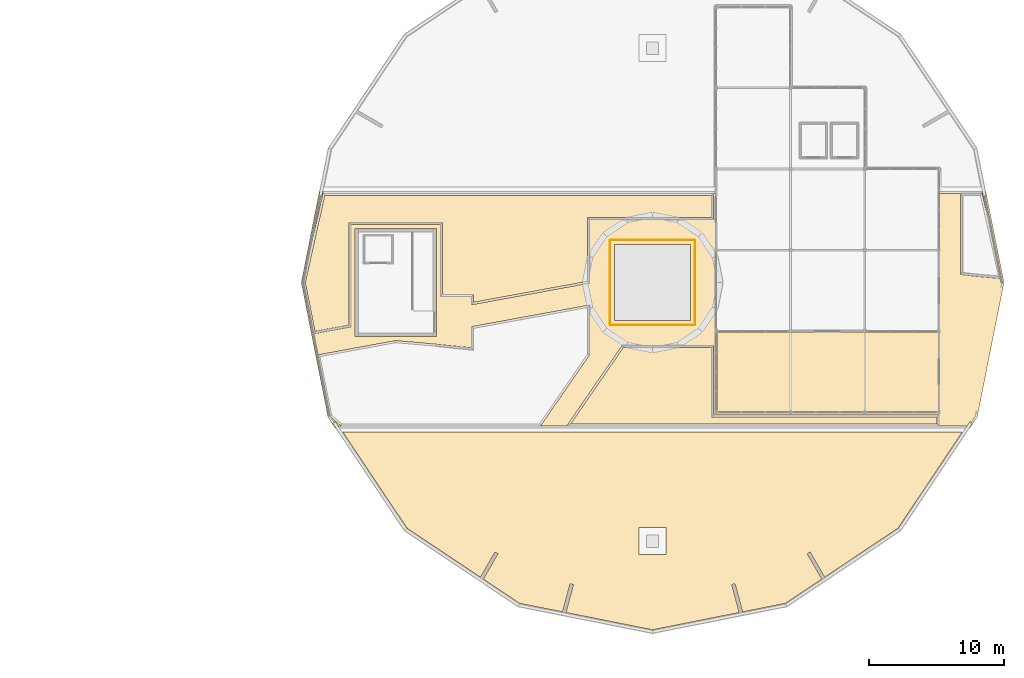
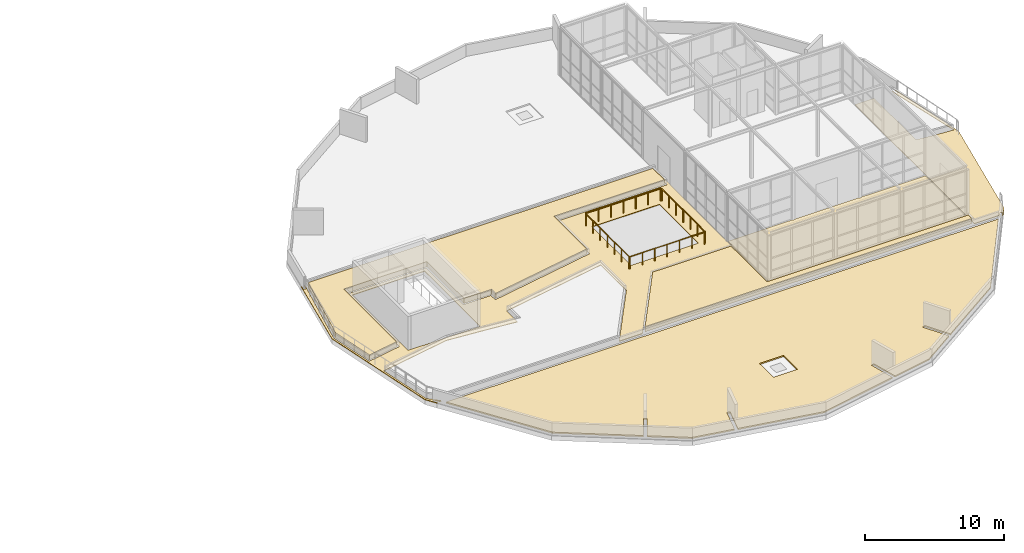
# One storey, part 37 of 40: 5 coverings, 4 railings.
"""IFC4 building model written with IfcOpenShell, lengths in metres."""

from ifc_helpers import new_model, si_unit, direction, frame, origin, origin_2d, place, context, subcontext, project, spatial, polyline, circle, outline, extrude, material, layer, layer_set, type_object, element, save


model = new_model("IFC4")

# Units and contexts
model_context = context("Model", 3, precision=1e-05, world=origin(), true_north=direction((0.0, 1.0)))
body_context = subcontext(model_context, "Body", "Model", "MODEL_VIEW")
ifc_project = project(units=[si_unit("LENGTHUNIT", "METRE"), si_unit("AREAUNIT", "SQUARE_METRE"), si_unit("VOLUMEUNIT", "CUBIC_METRE"), si_unit("PLANEANGLEUNIT", "RADIAN"), si_unit("MASSUNIT", "GRAM", prefix="KILO")], contexts=[model_context])

# Site, building, storey
site_placement = place(None, origin())
site = spatial("IfcSite", under=ifc_project, at=site_placement, CompositionType="ELEMENT")
building_placement = place(site_placement, origin())
building = spatial("IfcBuilding", under=site, at=building_placement, Name="Ceibo Conservatory and Research Tower", CompositionType="ELEMENT")
storey_placement = place(building_placement, frame((0.0, 0.0, 6.0)))
storey = spatial("IfcBuildingStorey", under=building, at=storey_placement, Name="L01", CompositionType="ELEMENT", Elevation=6.0)

# Coverings
ifc_material_1 = material(Name="Extensive green roof substrate")
ifc_layer_1 = layer(ifc_material_1, 0.1201171875)
ifc_layer_set_1 = layer_set([ifc_layer_1], Name="Extensive green roof substrate")
covering_type_1 = type_object("IfcCoveringType", Name="Extensive green roof 120", PredefinedType="ROOFING", material=ifc_layer_set_1)
covering_1_placement = place(storey_placement, frame((0.0, 0.0, -0.050048828125)))
element("IfcCovering", 1, at=covering_1_placement, inside=storey, type_object=covering_type_1, Name="Green roof 2", PredefinedType="ROOFING", context=body_context, shape_type="SweptSolid", body=[
    extrude(outline(polyline([(155.476806640625, 14.059326171875), (156.555908203125, 15.92822265625), (156.33935546875, 16.05322265625), (155.2685546875, 14.198486328125), (149.83154296875, 17.83154296875), (145.0751953125, 24.949951171875), (190.9248046875, 24.949951171875), (186.16845703125, 17.83154296875), (180.7314453125, 14.198486328125), (179.66064453125, 16.05322265625), (179.444091796875, 15.92822265625), (180.523193359375, 14.059326171875), (177.832763671875, 12.26171875), (174.6591796875, 11.630615234375), (174.1005859375, 13.715087890625), (173.859130859375, 13.650390625), (174.41357421875, 11.58154296875), (168.0, 10.305908203125), (161.58642578125, 11.58154296875), (162.140869140625, 13.650390625), (161.8994140625, 13.715087890625), (161.3408203125, 11.630615234375), (158.167236328125, 12.26171875), (155.476806640625, 14.059326171875)]), holes=[polyline([(167.0, 17.862548828125), (167.0, 15.862548828125), (169.0, 15.862548828125), (169.0, 17.862548828125), (167.0, 17.862548828125)])]), origin(), (0.0, 0.0, 1.0), 0.1201171875),
])
ifc_material_2 = material(Name="Concrete pavers on pedestals", Category="concrete")
ifc_layer_2 = layer(ifc_material_2, 0.050048828125)
ifc_layer_set_2 = layer_set([ifc_layer_2], Name="Concrete pavers on pedestals")
covering_type_2 = type_object("IfcCoveringType", Name="Paver on pedestals 50", PredefinedType="FLOORING", material=ifc_layer_set_2)
covering_2_placement = place(storey_placement, frame((0.0, 0.0, -0.050048828125)))
element("IfcCovering", 2, at=covering_2_placement, inside=storey, type_object=covering_type_2, Name="Terrace pavers 1", PredefinedType="FLOORING", context=body_context, shape_type="SweptSolid", body=[
    extrude(outline(polyline([(143.3935546875, 42.75), (143.318115234375, 42.369384765625), (143.51416015625, 42.33056640625), (143.59765625, 42.75), (143.6484375, 42.75), (143.61865234375, 42.60009765625), (143.627197265625, 42.60009765625), (142.15283203125, 36.0), (142.90673828125, 32.210205078125), (145.699951171875, 32.72265625), (145.699951171875, 40.300048828125), (152.300048828125, 40.300048828125), (152.300048828125, 34.965087890625), (154.60009765625, 34.965087890625), (154.60009765625, 34.355224609375), (163.35009765625, 35.96044921875), (163.35009765625, 40.64990234375), (172.5, 40.64990234375), (172.5, 42.60009765625), (172.699951171875, 42.60009765625), (172.699951171875, 26.39990234375), (189.199951171875, 26.39990234375), (189.199951171875, 42.60009765625), (190.800048828125, 42.60009765625), (190.800048828125, 36.60009765625), (192.0, 36.449951171875), (193.787353515625, 36.300048828125), (192.372314453125, 42.60009765625), (192.38134765625, 42.60009765625), (192.3515625, 42.75), (192.40234375, 42.75), (192.48583984375, 42.33056640625), (192.681884765625, 42.369384765625), (192.6064453125, 42.75), (192.6572265625, 42.75), (194.0, 36.0), (192.02099609375, 26.05029296875), (191.486083984375, 25.25), (191.426025390625, 25.25), (191.65625, 25.594482421875), (191.489990234375, 25.70556640625), (191.185546875, 25.25), (191.12548828125, 25.25), (191.2255859375, 25.39990234375), (189.199951171875, 25.39990234375), (189.199951171875, 26.199951171875), (172.5, 26.199951171875), (172.5, 31.35009765625), (165.763427734375, 31.35009765625), (161.657958984375, 25.39990234375), (159.714111328125, 25.39990234375), (163.35009765625, 30.66943359375), (163.35009765625, 34.333740234375), (154.60009765625, 32.728515625), (154.60009765625, 31.1650390625), (152.0, 31.4326171875), (148.99267578125, 31.699951171875), (143.218994140625, 30.640869140625), (144.120361328125, 26.10888671875), (144.950439453125, 25.39990234375), (144.7744140625, 25.39990234375), (144.87451171875, 25.25), (144.814453125, 25.25), (144.510009765625, 25.70556640625), (144.34375, 25.594482421875), (144.573974609375, 25.25), (144.513916015625, 25.25), (143.97900390625, 26.05029296875), (142.0, 36.0), (143.3427734375, 42.75), (143.3935546875, 42.75)]), holes=[polyline([(165.199951171875, 33.199951171875), (170.800048828125, 33.199951171875), (170.800048828125, 38.800048828125), (165.199951171875, 38.800048828125), (165.199951171875, 33.199951171875)]), polyline([(146.0, 32.0), (152.0, 32.0), (152.0, 40.0), (146.0, 40.0), (146.0, 32.0)])]), origin(), (0.0, 0.0, 1.0), 0.050048828125),
])

# Railings
ifc_material_3 = material(Name="Stainless steel AISI 316", Category="steel")
railing_type = type_object("IfcRailingType", Name="Pavilion terrace guard 1100", PredefinedType="GUARDRAIL", material=ifc_material_3)
railing_1_placement = place(storey_placement, frame((164.909912109375, 32.85009765625, 0.0)))
element("IfcRailing", 3, at=railing_1_placement, inside=storey, type_object=railing_type, Name="Roof light guard 1", PredefinedType="GUARDRAIL", context=body_context, shape_type="SweptSolid", body=[
    extrude(circle(Radius=0.02392578125, at=origin_2d()), frame((0.0, 0.0, 1.076171875), z_axis=(1.0, 0.0, 0.0), x_axis=(0.0, 1.0, 0.0)), (0.0, 0.0, 1.0), 6.18017578125),
    extrude(circle(Radius=0.02099609375, at=origin_2d()), origin(), (0.0, 0.0, 1.0), 1.052001953125),
    extrude(circle(Radius=0.02099609375, at=origin_2d()), frame((1.030029296875, 0.0, 0.0)), (0.0, 0.0, 1.0), 1.052001953125),
    extrude(circle(Radius=0.02099609375, at=origin_2d()), frame((2.06005859375, 0.0, 0.0)), (0.0, 0.0, 1.0), 1.052001953125),
    extrude(circle(Radius=0.02099609375, at=origin_2d()), frame((3.090087890625, 0.0, 0.0)), (0.0, 0.0, 1.0), 1.052001953125),
    extrude(circle(Radius=0.02099609375, at=origin_2d()), frame((4.1201171875, 0.0, 0.0)), (0.0, 0.0, 1.0), 1.052001953125),
    extrude(circle(Radius=0.02099609375, at=origin_2d()), frame((5.150146484375, 0.0, 0.0)), (0.0, 0.0, 1.0), 1.052001953125),
    extrude(circle(Radius=0.02099609375, at=origin_2d()), frame((6.18017578125, 0.0, 0.0)), (0.0, 0.0, 1.0), 1.052001953125),
])
railing_2_placement = place(storey_placement, frame((171.14990234375, 32.909912109375, 0.0)))
element("IfcRailing", 4, at=railing_2_placement, inside=storey, type_object=railing_type, Name="Roof light guard 2", PredefinedType="GUARDRAIL", context=body_context, shape_type="SweptSolid", body=[
    extrude(circle(Radius=0.02392578125, at=origin_2d()), frame((0.0, 0.0, 1.076171875), z_axis=(0.0, 1.0, 0.0), x_axis=(-1.0, 0.0, 0.0)), (0.0, 0.0, 1.0), 6.18017578125),
    extrude(circle(Radius=0.02099609375, at=origin_2d()), origin(), (0.0, 0.0, 1.0), 1.052001953125),
    extrude(circle(Radius=0.02099609375, at=origin_2d()), frame((0.0, 1.030029296875, 0.0)), (0.0, 0.0, 1.0), 1.052001953125),
    extrude(circle(Radius=0.02099609375, at=origin_2d()), frame((0.0, 2.06005859375, 0.0)), (0.0, 0.0, 1.0), 1.052001953125),
    extrude(circle(Radius=0.02099609375, at=origin_2d()), frame((0.0, 3.090087890625, 0.0)), (0.0, 0.0, 1.0), 1.052001953125),
    extrude(circle(Radius=0.02099609375, at=origin_2d()), frame((0.0, 4.1201171875, 0.0)), (0.0, 0.0, 1.0), 1.052001953125),
    extrude(circle(Radius=0.02099609375, at=origin_2d()), frame((0.0, 5.150146484375, 0.0)), (0.0, 0.0, 1.0), 1.052001953125),
    extrude(circle(Radius=0.02099609375, at=origin_2d()), frame((0.0, 6.18017578125, 0.0)), (0.0, 0.0, 1.0), 1.052001953125),
])
railing_3_placement = place(storey_placement, frame((171.090087890625, 39.14990234375, 0.0)))
element("IfcRailing", 5, at=railing_3_placement, inside=storey, type_object=railing_type, Name="Roof light guard 3", PredefinedType="GUARDRAIL", context=body_context, shape_type="SweptSolid", body=[
    extrude(circle(Radius=0.02392578125, at=origin_2d()), frame((0.0, 0.0, 1.076171875), z_axis=(-1.0, 0.0, 0.0), x_axis=(0.0, -1.0, 0.0)), (0.0, 0.0, 1.0), 6.18017578125),
    extrude(circle(Radius=0.02099609375, at=origin_2d()), origin(), (0.0, 0.0, 1.0), 1.052001953125),
    extrude(circle(Radius=0.02099609375, at=origin_2d()), frame((-1.030029296875, 0.0, 0.0)), (0.0, 0.0, 1.0), 1.052001953125),
    extrude(circle(Radius=0.02099609375, at=origin_2d()), frame((-2.06005859375, 0.0, 0.0)), (0.0, 0.0, 1.0), 1.052001953125),
    extrude(circle(Radius=0.02099609375, at=origin_2d()), frame((-3.090087890625, 0.0, 0.0)), (0.0, 0.0, 1.0), 1.052001953125),
    extrude(circle(Radius=0.02099609375, at=origin_2d()), frame((-4.1201171875, 0.0, 0.0)), (0.0, 0.0, 1.0), 1.052001953125),
    extrude(circle(Radius=0.02099609375, at=origin_2d()), frame((-5.150146484375, 0.0, 0.0)), (0.0, 0.0, 1.0), 1.052001953125),
    extrude(circle(Radius=0.02099609375, at=origin_2d()), frame((-6.18017578125, 0.0, 0.0)), (0.0, 0.0, 1.0), 1.052001953125),
])
railing_4_placement = place(storey_placement, frame((164.85009765625, 39.090087890625, 0.0)))
element("IfcRailing", 6, at=railing_4_placement, inside=storey, type_object=railing_type, Name="Roof light guard 4", PredefinedType="GUARDRAIL", context=body_context, shape_type="SweptSolid", body=[
    extrude(circle(Radius=0.02392578125, at=origin_2d()), frame((0.0, 0.0, 1.076171875), z_axis=(0.0, -1.0, 0.0), x_axis=(1.0, 0.0, 0.0)), (0.0, 0.0, 1.0), 6.18017578125),
    extrude(circle(Radius=0.02099609375, at=origin_2d()), origin(), (0.0, 0.0, 1.0), 1.052001953125),
    extrude(circle(Radius=0.02099609375, at=origin_2d()), frame((0.0, -1.030029296875, 0.0)), (0.0, 0.0, 1.0), 1.052001953125),
    extrude(circle(Radius=0.02099609375, at=origin_2d()), frame((0.0, -2.06005859375, 0.0)), (0.0, 0.0, 1.0), 1.052001953125),
    extrude(circle(Radius=0.02099609375, at=origin_2d()), frame((0.0, -3.090087890625, 0.0)), (0.0, 0.0, 1.0), 1.052001953125),
    extrude(circle(Radius=0.02099609375, at=origin_2d()), frame((0.0, -4.1201171875, 0.0)), (0.0, 0.0, 1.0), 1.052001953125),
    extrude(circle(Radius=0.02099609375, at=origin_2d()), frame((0.0, -5.150146484375, 0.0)), (0.0, 0.0, 1.0), 1.052001953125),
    extrude(circle(Radius=0.02099609375, at=origin_2d()), frame((0.0, -6.18017578125, 0.0)), (0.0, 0.0, 1.0), 1.052001953125),
])

# Coverings
ifc_material_4 = material(Name="Planting soil")
ifc_layer_3 = layer(ifc_material_4, 0.449951171875)
ifc_layer_set_3 = layer_set([ifc_layer_3], Name="Planting soil")
covering_type_3 = type_object("IfcCoveringType", Name="Roof garden planting soil 450", PredefinedType="FLOORING", material=ifc_layer_set_3)
covering_3_placement = place(storey_placement, frame((0.0, 0.0, -0.050048828125)))
element("IfcCovering", 7, at=covering_3_placement, inside=storey, type_object=covering_type_3, Name="Planting bed PB02", PredefinedType="FLOORING", context=body_context, shape_type="SweptSolid", body=[
    extrude(outline(polyline([(172.35009765625, 40.800048828125), (172.35009765625, 42.449951171875), (143.74755859375, 42.449951171875), (142.30615234375, 35.998291015625), (143.025146484375, 32.384521484375), (145.550048828125, 32.84765625), (145.550048828125, 40.449951171875), (152.449951171875, 40.449951171875), (152.449951171875, 35.114990234375), (154.75, 35.114990234375), (154.75, 34.535400390625), (163.199951171875, 36.08544921875), (163.199951171875, 40.800048828125), (172.35009765625, 40.800048828125)])), origin(), (0.0, 0.0, 1.0), 0.449951171875),
])
covering_4_placement = place(storey_placement, frame((0.0, 0.0, -0.050048828125)))
element("IfcCovering", 8, at=covering_4_placement, inside=storey, type_object=covering_type_3, Name="Planting bed PB03", PredefinedType="FLOORING", context=body_context, shape_type="SweptSolid", body=[
    extrude(outline(polyline([(161.94384765625, 25.550048828125), (189.050048828125, 25.550048828125), (189.050048828125, 26.050048828125), (172.35009765625, 26.050048828125), (172.35009765625, 31.199951171875), (165.84228515625, 31.199951171875), (161.94384765625, 25.550048828125)])), origin(), (0.0, 0.0, 1.0), 0.449951171875),
])
ifc_material_5 = material(Name="Terrazzo floor finish")
ifc_layer_4 = layer(ifc_material_5, 0.050048828125)
ifc_layer_set_4 = layer_set([ifc_layer_4], Name="Terrazzo floor finish")
covering_type_4 = type_object("IfcCoveringType", Name="Sky gallery floor finish 50", PredefinedType="FLOORING", material=ifc_layer_set_4)
covering_5_placement = place(storey_placement, frame((0.0, 0.0, -0.050048828125)))
element("IfcCovering", 9, at=covering_5_placement, inside=storey, type_object=covering_type_4, Name="Sky Gallery floor finish 2", PredefinedType="FLOORING", context=body_context, shape_type="SweptSolid", body=[
    extrude(outline(polyline([(183.590087890625, 32.340087890625), (183.590087890625, 32.2900390625), (183.81005859375, 32.2900390625), (183.81005859375, 32.340087890625), (189.090087890625, 32.340087890625), (189.090087890625, 32.2900390625), (189.139892578125, 32.2900390625), (189.139892578125, 26.510009765625), (189.090087890625, 26.510009765625), (189.090087890625, 26.4599609375), (183.81005859375, 26.4599609375), (183.81005859375, 26.510009765625), (183.590087890625, 26.510009765625), (183.590087890625, 26.4599609375), (178.31005859375, 26.4599609375), (178.31005859375, 26.510009765625), (178.090087890625, 26.510009765625), (178.090087890625, 26.4599609375), (172.81005859375, 26.4599609375), (172.81005859375, 26.510009765625), (172.760009765625, 26.510009765625), (172.760009765625, 32.2900390625), (172.81005859375, 32.2900390625), (172.81005859375, 32.340087890625), (178.090087890625, 32.340087890625), (178.090087890625, 32.2900390625), (178.31005859375, 32.2900390625), (178.31005859375, 32.340087890625), (183.590087890625, 32.340087890625)])), origin(), (0.0, 0.0, 1.0), 0.050048828125),
])

save(model, "model.ifc")
